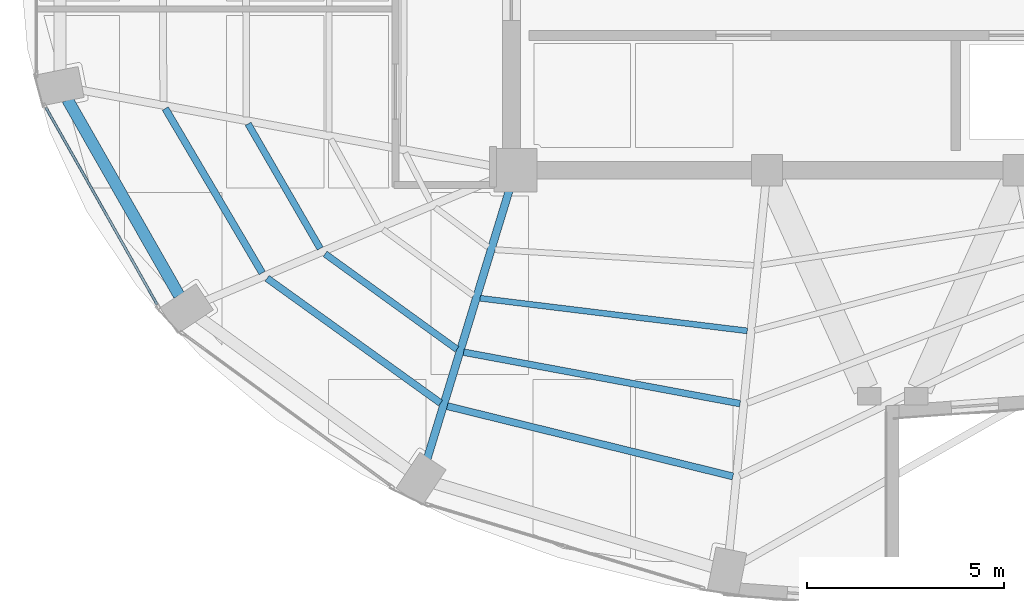
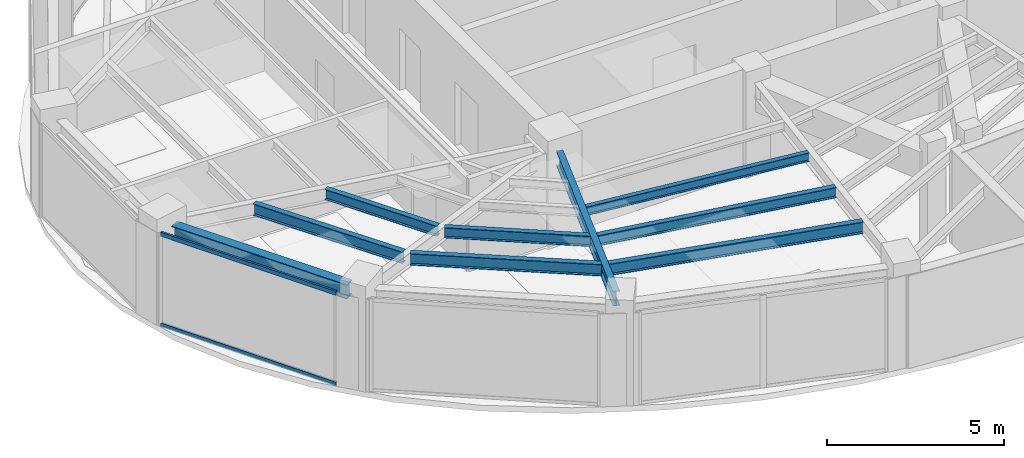
# One storey, part 3 of 22: 9 beams, 2 members, 1 element without a shape of its own.
"""IFC4 building model written with IfcOpenShell, lengths in metres."""

from ifc_helpers import new_model, si_unit, direction, frame, origin, origin_2d, place, context, subcontext, project, spatial, hollow_rectangle, i_section, extrude, material, layer, layer_set, material_profile, profile_set, type_object, element, aggregate, save


model = new_model("IFC4")

# Units and contexts
model_context = context("Model", 3, precision=1e-05, world=origin(), true_north=direction((0.0, 1.0)))
body_context = subcontext(model_context, "Body", "Model", "MODEL_VIEW")
ifc_project = project(units=[si_unit("LENGTHUNIT", "METRE"), si_unit("AREAUNIT", "SQUARE_METRE"), si_unit("VOLUMEUNIT", "CUBIC_METRE"), si_unit("PLANEANGLEUNIT", "RADIAN"), si_unit("MASSUNIT", "GRAM", prefix="KILO")], contexts=[model_context])

# Site, building, storey
site_placement = place(None, origin())
site = spatial("IfcSite", under=ifc_project, at=site_placement, CompositionType="ELEMENT")
building_placement = place(site_placement, origin())
building = spatial("IfcBuilding", under=site, at=building_placement, Name="Lazwardi Medical Tower", CompositionType="ELEMENT")
storey_placement = place(building_placement, frame((0.0, 0.0, 242.256103515625)))
storey = spatial("IfcBuildingStorey", under=building, at=storey_placement, Name="L63", CompositionType="ELEMENT", Elevation=242.256103515625)

# Beams
ifc_material_1 = material(Name="Steel S355", Category="steel")
ifc_material_profile_1 = material_profile(ifc_material_1, i_section(OverallWidth=0.300048828125, OverallDepth=0.5, WebThickness=0.014404296875, FlangeThickness=0.028076171875, at=origin_2d()), Name="HEB 500")
ifc_profile_set_1 = profile_set([ifc_material_profile_1], Name="Steel S355")
beam_type_1 = type_object("IfcBeamType", Name="BM-RB-Z4", PredefinedType="BEAM", material=ifc_profile_set_1)
beam_1_placement = place(storey_placement, frame((15.008056640625, 22.1982421875, 2.947998046875), z_axis=(0.495125273299, -0.868821594886, 0.0), x_axis=(0.868821594886, 0.495125273299, 0.0)))
element("IfcBeam", 1, at=beam_1_placement, inside=storey, type_object=beam_type_1, Name="Ring beam RB-05 B13 L63", PredefinedType="BEAM", context=body_context, shape_type="SweptSolid", body=[
    extrude(i_section(OverallWidth=0.300048828125, OverallDepth=0.5, WebThickness=0.014404296875, FlangeThickness=0.028076171875, at=origin_2d()), origin(), (0.0, 0.0, 1.0), 5.734130859375),
])
ifc_material_profile_2 = material_profile(ifc_material_1, i_section(OverallWidth=0.199951171875, OverallDepth=0.5, WebThickness=0.01025390625, FlangeThickness=0.01611328125, at=origin_2d()), Name="IPE 500")
ifc_profile_set_2 = profile_set([ifc_material_profile_2], Name="Steel S355")
beam_type_2 = type_object("IfcBeamType", Name="BM-RG-W3", PredefinedType="BEAM", material=ifc_profile_set_2)
beam_2_placement = place(storey_placement, frame((24.156005859375, 13.0576171875, 2.947998046875), z_axis=(0.292276716539, 0.956333791607, 0.0), x_axis=(-0.956333791607, 0.292276716539, 0.0)))
element("IfcBeam", 2, at=beam_2_placement, inside=storey, type_object=beam_type_2, Name="Radial girder RG-04 R15 L63", PredefinedType="BEAM", context=body_context, shape_type="SweptSolid", body=[
    extrude(i_section(OverallWidth=0.199951171875, OverallDepth=0.5, WebThickness=0.01025390625, FlangeThickness=0.01611328125, at=origin_2d()), origin(), (0.0, 0.0, 1.0), 7.142822265625),
])
ifc_material_profile_3 = material_profile(ifc_material_1, i_section(OverallWidth=0.179931640625, OverallDepth=0.39990234375, WebThickness=0.008544921875, FlangeThickness=0.013427734375, at=origin_2d()), Name="IPE 400")
ifc_profile_set_3 = profile_set([ifc_material_profile_3], Name="Steel S355")
beam_type_3 = type_object("IfcBeamType", Name="BM-SJ-01", PredefinedType="JOIST", material=ifc_profile_set_3)
beam_3_placement = place(storey_placement, frame((17.495849609375, 21.969482421875, 2.997802734375), z_axis=(0.507710311367, -0.861527851977, 0.0), x_axis=(0.861527851977, 0.507710311367, 0.0)))
element("IfcBeam", 3, at=beam_3_placement, inside=storey, type_object=beam_type_3, Name="Secondary joist SJ-01 R1 B13 L63", PredefinedType="JOIST", context=body_context, shape_type="SweptSolid", body=[
    extrude(i_section(OverallWidth=0.179931640625, OverallDepth=0.39990234375, WebThickness=0.008544921875, FlangeThickness=0.013427734375, at=origin_2d()), origin(), (0.0, 0.0, 1.0), 4.852783203125),
])
beam_4_placement = place(storey_placement, frame((20.085205078125, 17.651123046875, 2.997802734375), z_axis=(0.811889581337, -0.58381102055, 0.0), x_axis=(0.58381102055, 0.811889581337, 0.0)))
element("IfcBeam", 4, at=beam_4_placement, inside=storey, type_object=beam_type_3, Name="Secondary joist SJ-01 R1 B14 L63", PredefinedType="JOIST", context=body_context, shape_type="SweptSolid", body=[
    extrude(i_section(OverallWidth=0.179931640625, OverallDepth=0.39990234375, WebThickness=0.008544921875, FlangeThickness=0.013427734375, at=origin_2d()), origin(), (0.0, 0.0, 1.0), 5.433349609375),
])
beam_5_placement = place(storey_placement, frame((24.665771484375, 14.40087890625, 2.997802734375), z_axis=(0.971041669317, -0.238910184904, 0.0), x_axis=(0.238910184904, 0.971041669317, 0.0)))
element("IfcBeam", 5, at=beam_5_placement, inside=storey, type_object=beam_type_3, Name="Secondary joist SJ-01 R1 B15 L63", PredefinedType="JOIST", context=body_context, shape_type="SweptSolid", body=[
    extrude(i_section(OverallWidth=0.179931640625, OverallDepth=0.39990234375, WebThickness=0.008544921875, FlangeThickness=0.013427734375, at=origin_2d()), origin(), (0.0, 0.0, 1.0), 7.482421875),
])
ifc_material_profile_4 = material_profile(ifc_material_1, i_section(OverallWidth=0.169921875, OverallDepth=0.360107421875, WebThickness=0.008056640625, FlangeThickness=0.0126953125, at=origin_2d()), Name="IPE 360")
ifc_profile_set_4 = profile_set([ifc_material_profile_4], Name="Steel S355")
beam_type_4 = type_object("IfcBeamType", Name="BM-SJ-02", PredefinedType="JOIST", material=ifc_profile_set_4)
beam_6_placement = place(storey_placement, frame((19.601806640625, 21.58056640625, 3.017822265625), z_axis=(0.500655179543, -0.865646805109, 0.0), x_axis=(0.865646805109, 0.500655179543, 0.0)))
element("IfcBeam", 6, at=beam_6_placement, inside=storey, type_object=beam_type_4, Name="Secondary joist SJ-02 R2 B13 L63", PredefinedType="JOIST", context=body_context, shape_type="SweptSolid", body=[
    extrude(i_section(OverallWidth=0.169921875, OverallDepth=0.360107421875, WebThickness=0.008056640625, FlangeThickness=0.0126953125, at=origin_2d()), origin(), (0.0, 0.0, 1.0), 3.662109375),
])
beam_7_placement = place(storey_placement, frame((21.559814453125, 18.2724609375, 3.017822265625), z_axis=(0.810164229155, -0.586202969796, 0.0), x_axis=(0.586202969796, 0.810164229155, 0.0)))
element("IfcBeam", 7, at=beam_7_placement, inside=storey, type_object=beam_type_4, Name="Secondary joist SJ-02 R2 B14 L63", PredefinedType="JOIST", context=body_context, shape_type="SweptSolid", body=[
    extrude(i_section(OverallWidth=0.169921875, OverallDepth=0.360107421875, WebThickness=0.008056640625, FlangeThickness=0.0126953125, at=origin_2d()), origin(), (0.0, 0.0, 1.0), 4.14013671875),
])
beam_8_placement = place(storey_placement, frame((25.08447265625, 15.7724609375, 3.017822265625), z_axis=(0.983132476587, -0.182894870019, 0.0), x_axis=(0.182894870019, 0.983132476587, 0.0)))
element("IfcBeam", 8, at=beam_8_placement, inside=storey, type_object=beam_type_4, Name="Secondary joist SJ-02 R2 B15 L63", PredefinedType="JOIST", context=body_context, shape_type="SweptSolid", body=[
    extrude(i_section(OverallWidth=0.169921875, OverallDepth=0.360107421875, WebThickness=0.008056640625, FlangeThickness=0.0126953125, at=origin_2d()), origin(), (0.0, 0.0, 1.0), 7.15087890625),
])
ifc_material_profile_5 = material_profile(ifc_material_1, i_section(OverallWidth=0.14990234375, OverallDepth=0.300048828125, WebThickness=0.007080078125, FlangeThickness=0.0107421875, at=origin_2d()), Name="IPE 300")
ifc_profile_set_5 = profile_set([ifc_material_profile_5], Name="Steel S355")
beam_type_5 = type_object("IfcBeamType", Name="BM-SJ-03", PredefinedType="JOIST", material=ifc_profile_set_5)
beam_9_placement = place(storey_placement, frame((25.5029296875, 17.14453125, 3.0478515625), z_axis=(0.992634689535, -0.121146081783, 0.0), x_axis=(0.121146081783, 0.992634689535, 0.0)))
element("IfcBeam", 9, at=beam_9_placement, inside=storey, type_object=beam_type_5, Name="Secondary joist SJ-03 R3 B15 L63", PredefinedType="JOIST", context=body_context, shape_type="SweptSolid", body=[
    extrude(i_section(OverallWidth=0.14990234375, OverallDepth=0.300048828125, WebThickness=0.007080078125, FlangeThickness=0.0107421875, at=origin_2d()), origin(), (0.0, 0.0, 1.0), 6.845947265625),
])

# Curtain wall, members
ifc_material_2 = material(Name="Anodised bronze aluminium and solar control glazing", Category="aluminium")
ifc_layer = layer(ifc_material_2, 0.18994140625)
ifc_layer_set = layer_set([ifc_layer], Name="Anodised bronze aluminium and solar control glazing")
curtain_wall_type = type_object("IfcCurtainWallType", Name="CW-SYS-04", PredefinedType="NOTDEFINED", material=ifc_layer_set)
curtain_wall_placement = place(storey_placement, origin())
curtain_wall = element("IfcCurtainWall", 10, at=curtain_wall_placement, inside=storey, type_object=curtain_wall_type, Name="L63 Unitised bronze curtain wall CW-04", PredefinedType="NOTDEFINED")
ifc_material_3 = material(Name="Anodised bronze aluminium", Category="aluminium")
ifc_material_profile_6 = material_profile(ifc_material_3, hollow_rectangle(XDim=0.06494140625, YDim=0.139892578125, WallThickness=0.00341796875, at=origin_2d()), Name="ALU-TRANSOM 140x65x3.5")
ifc_profile_set_6 = profile_set([ifc_material_profile_6], Name="Anodised bronze aluminium")
member_type = type_object("IfcMemberType", Name="CW-TRN-03", PredefinedType="USERDEFINED", material=ifc_profile_set_6)
member_1_placement = place(storey_placement, frame((14.458740234375, 21.993408203125, 0.032470703125), z_axis=(0.491897887635, -0.870652897623, 0.0), x_axis=(0.870652897623, 0.491897887635, 0.0)))
member_1 = element("IfcMember", 11, at=member_1_placement, type_object=member_type, Name="CW-04 transom 1.1", ObjectType="TRANSOM", PredefinedType="USERDEFINED", context=body_context, shape_type="SweptSolid", body=[
    extrude(hollow_rectangle(XDim=0.06494140625, YDim=0.139892578125, WallThickness=0.00341796875, at=origin_2d()), origin(), (0.0, 0.0, 1.0), 5.7548828125),
])
member_2_placement = place(storey_placement, frame((14.458740234375, 21.993408203125, 3.165283203125), z_axis=(0.491897887635, -0.870652897623, 0.0), x_axis=(0.870652897623, 0.491897887635, 0.0)))
member_2 = element("IfcMember", 12, at=member_2_placement, type_object=member_type, Name="CW-04 transom 1.2", ObjectType="TRANSOM", PredefinedType="USERDEFINED", context=body_context, shape_type="SweptSolid", body=[
    extrude(hollow_rectangle(XDim=0.06494140625, YDim=0.139892578125, WallThickness=0.00341796875, at=origin_2d()), origin(), (0.0, 0.0, 1.0), 5.7548828125),
])
aggregate(curtain_wall, [member_1, member_2])

save(model, "model.ifc")
